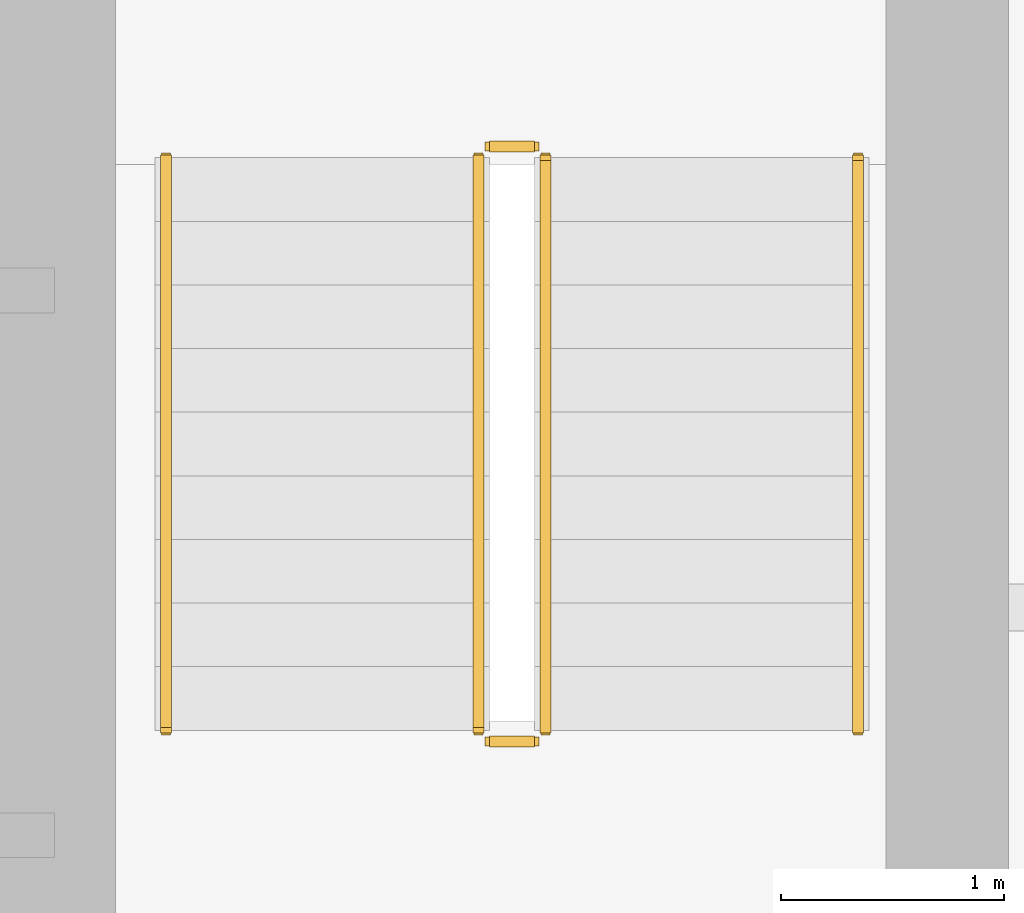
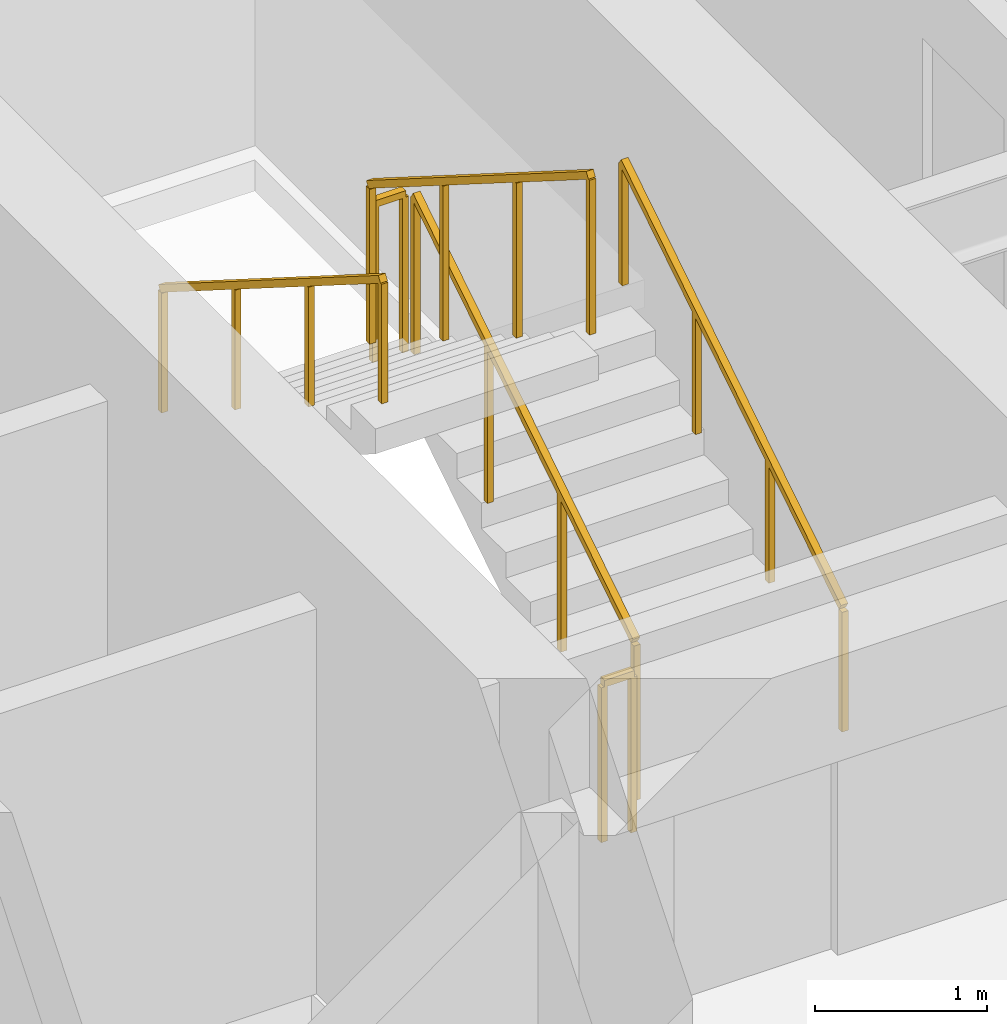
# One storey, part 24 of 24: 6 railings.
"""IFC4 building model written with IfcOpenShell, lengths in metres."""

from ifc_helpers import new_model, si_unit, direction, frame, origin, origin_2d, place, context, subcontext, project, spatial, rectangle, extrude, material, type_object, element, save


model = new_model("IFC4")

# Units and contexts
model_context = context("Model", 3, precision=1e-05, world=origin(), true_north=direction((0.0, 1.0)))
body_context = subcontext(model_context, "Body", "Model", "MODEL_VIEW")
ifc_project = project(units=[si_unit("LENGTHUNIT", "METRE"), si_unit("AREAUNIT", "SQUARE_METRE"), si_unit("VOLUMEUNIT", "CUBIC_METRE"), si_unit("PLANEANGLEUNIT", "RADIAN"), si_unit("MASSUNIT", "GRAM", prefix="KILO")], contexts=[model_context])

# Site, building, storey
site_placement = place(None, origin())
site = spatial("IfcSite", under=ifc_project, at=site_placement, CompositionType="ELEMENT")
building_placement = place(site_placement, origin())
building = spatial("IfcBuilding", under=site, at=building_placement, Name="Sarneth Arch Tower", CompositionType="ELEMENT")
storey_placement = place(building_placement, frame((0.0, 0.0, 127.199951171875)))
storey = spatial("IfcBuildingStorey", under=building, at=storey_placement, Name="L32", CompositionType="ELEMENT", Elevation=127.199951171875)

# Railings
ifc_material_1 = material(Name="Brushed Stainless Steel 304 tubular handrail", Category="steel")
railing_type_1 = type_object("IfcRailingType", Name="RAIL-HANDRAIL-900", PredefinedType="HANDRAIL", material=ifc_material_1)
railing_1_placement = place(storey_placement, frame((58.60009765625, 41.449951171875, 0.179931640625)))
element("IfcRailing", 1, at=railing_1_placement, inside=storey, type_object=railing_type_1, Name="L32 ST-2 stair handrail 1", PredefinedType="HANDRAIL", context=body_context, shape_type="SweptSolid", body=[
    extrude(rectangle(XDim=0.048095703125, YDim=0.048095703125, at=origin_2d()), frame((0.0, 0.0, 0.8759765625), z_axis=(0.0, 0.845465955043, 0.534029323973), x_axis=(-1.0, 0.0, 0.0)), (0.0, 0.0, 1.0), 3.03369140625),
    extrude(rectangle(XDim=0.0419921875, YDim=0.0419921875, at=origin_2d()), origin(), (0.0, 0.0, 1.0), 0.851806640625),
    extrude(rectangle(XDim=0.0419921875, YDim=0.0419921875, at=origin_2d()), frame((0.0, 0.85498046875, 0.5400390625)), (0.0, 0.0, 1.0), 0.851806640625),
    extrude(rectangle(XDim=0.0419921875, YDim=0.0419921875, at=origin_2d()), frame((0.0, 1.7099609375, 1.080078125)), (0.0, 0.0, 1.0), 0.851806640625),
    extrude(rectangle(XDim=0.0419921875, YDim=0.0419921875, at=origin_2d()), frame((0.0, 2.56494140625, 1.6201171875)), (0.0, 0.0, 1.0), 0.851806640625),
])
railing_2_placement = place(storey_placement, frame((55.5, 44.014892578125, 1.97998046875)))
element("IfcRailing", 2, at=railing_2_placement, inside=storey, type_object=railing_type_1, Name="L32 ST-2 stair handrail 2", PredefinedType="HANDRAIL", context=body_context, shape_type="SweptSolid", body=[
    extrude(rectangle(XDim=0.048095703125, YDim=0.048095703125, at=origin_2d()), frame((0.0, 0.0, 0.8759765625), z_axis=(0.0, -0.845465955043, 0.534029323973), x_axis=(1.0, 0.0, 0.0)), (0.0, 0.0, 1.0), 3.03369140625),
    extrude(rectangle(XDim=0.0419921875, YDim=0.0419921875, at=origin_2d()), origin(), (0.0, 0.0, 1.0), 0.851806640625),
    extrude(rectangle(XDim=0.0419921875, YDim=0.0419921875, at=origin_2d()), frame((0.0, -0.85498046875, 0.5400390625)), (0.0, 0.0, 1.0), 0.851806640625),
    extrude(rectangle(XDim=0.0419921875, YDim=0.0419921875, at=origin_2d()), frame((0.0, -1.7099609375, 1.080078125)), (0.0, 0.0, 1.0), 0.851806640625),
    extrude(rectangle(XDim=0.0419921875, YDim=0.0419921875, at=origin_2d()), frame((0.0, -2.56494140625, 1.6201171875)), (0.0, 0.0, 1.0), 0.851806640625),
])
ifc_material_2 = material(Name="Painted Steel S275 stair well guard", Category="steel")
railing_type_2 = type_object("IfcRailingType", Name="RAIL-STAIR-GUARD", PredefinedType="GUARDRAIL", material=ifc_material_2)
railing_3_placement = place(storey_placement, frame((57.199951171875, 41.449951171875, 0.179931640625)))
element("IfcRailing", 3, at=railing_3_placement, inside=storey, type_object=railing_type_2, Name="L32 ST-2 stair guard 1", PredefinedType="GUARDRAIL", context=body_context, shape_type="SweptSolid", body=[
    extrude(rectangle(XDim=0.048095703125, YDim=0.048095703125, at=origin_2d()), frame((0.0, 0.0, 1.1259765625), z_axis=(0.0, 0.845465955043, 0.534029323973), x_axis=(-1.0, 0.0, 0.0)), (0.0, 0.0, 1.0), 3.03369140625),
    extrude(rectangle(XDim=0.0419921875, YDim=0.0419921875, at=origin_2d()), origin(), (0.0, 0.0, 1.0), 1.101806640625),
    extrude(rectangle(XDim=0.0419921875, YDim=0.0419921875, at=origin_2d()), frame((0.0, 0.85498046875, 0.5400390625)), (0.0, 0.0, 1.0), 1.101806640625),
    extrude(rectangle(XDim=0.0419921875, YDim=0.0419921875, at=origin_2d()), frame((0.0, 1.7099609375, 1.080078125)), (0.0, 0.0, 1.0), 1.101806640625),
    extrude(rectangle(XDim=0.0419921875, YDim=0.0419921875, at=origin_2d()), frame((0.0, 2.56494140625, 1.6201171875)), (0.0, 0.0, 1.0), 1.101806640625),
])
railing_4_placement = place(storey_placement, frame((57.14990234375, 44.06494140625, 1.800048828125)))
element("IfcRailing", 4, at=railing_4_placement, inside=storey, type_object=railing_type_2, Name="L32 ST-2 stair guard 2", PredefinedType="GUARDRAIL", context=body_context, shape_type="SweptSolid", body=[
    extrude(rectangle(XDim=0.048095703125, YDim=0.048095703125, at=origin_2d()), frame((0.0, 0.0, 1.1259765625), z_axis=(-1.0, 0.0, 0.0), x_axis=(0.0, -1.0, 0.0)), (0.0, 0.0, 1.0), 0.199951171875),
    extrude(rectangle(XDim=0.0419921875, YDim=0.0419921875, at=origin_2d()), origin(), (0.0, 0.0, 1.0), 1.101806640625),
    extrude(rectangle(XDim=0.0419921875, YDim=0.0419921875, at=origin_2d()), frame((-0.199951171875, 0.0, 0.0)), (0.0, 0.0, 1.0), 1.101806640625),
])
railing_5_placement = place(storey_placement, frame((56.89990234375, 44.014892578125, 1.97998046875)))
element("IfcRailing", 5, at=railing_5_placement, inside=storey, type_object=railing_type_2, Name="L32 ST-2 stair guard 3", PredefinedType="GUARDRAIL", context=body_context, shape_type="SweptSolid", body=[
    extrude(rectangle(XDim=0.048095703125, YDim=0.048095703125, at=origin_2d()), frame((0.0, 0.0, 1.1259765625), z_axis=(0.0, -0.845465955043, 0.534029323973), x_axis=(1.0, 0.0, 0.0)), (0.0, 0.0, 1.0), 3.03369140625),
    extrude(rectangle(XDim=0.0419921875, YDim=0.0419921875, at=origin_2d()), origin(), (0.0, 0.0, 1.0), 1.101806640625),
    extrude(rectangle(XDim=0.0419921875, YDim=0.0419921875, at=origin_2d()), frame((0.0, -0.85498046875, 0.5400390625)), (0.0, 0.0, 1.0), 1.101806640625),
    extrude(rectangle(XDim=0.0419921875, YDim=0.0419921875, at=origin_2d()), frame((0.0, -1.7099609375, 1.080078125)), (0.0, 0.0, 1.0), 1.101806640625),
    extrude(rectangle(XDim=0.0419921875, YDim=0.0419921875, at=origin_2d()), frame((0.0, -2.56494140625, 1.6201171875)), (0.0, 0.0, 1.0), 1.101806640625),
])
railing_6_placement = place(storey_placement, frame((57.14990234375, 41.39990234375, 0.0)))
element("IfcRailing", 6, at=railing_6_placement, inside=storey, type_object=railing_type_2, Name="L32 ST-2 stair guard 4", PredefinedType="GUARDRAIL", context=body_context, shape_type="SweptSolid", body=[
    extrude(rectangle(XDim=0.048095703125, YDim=0.048095703125, at=origin_2d()), frame((0.0, 0.0, 1.1259765625), z_axis=(-1.0, 0.0, 0.0), x_axis=(0.0, -1.0, 0.0)), (0.0, 0.0, 1.0), 0.199951171875),
    extrude(rectangle(XDim=0.0419921875, YDim=0.0419921875, at=origin_2d()), origin(), (0.0, 0.0, 1.0), 1.101806640625),
    extrude(rectangle(XDim=0.0419921875, YDim=0.0419921875, at=origin_2d()), frame((-0.199951171875, 0.0, 0.0)), (0.0, 0.0, 1.0), 1.101806640625),
])

save(model, "model.ifc")
